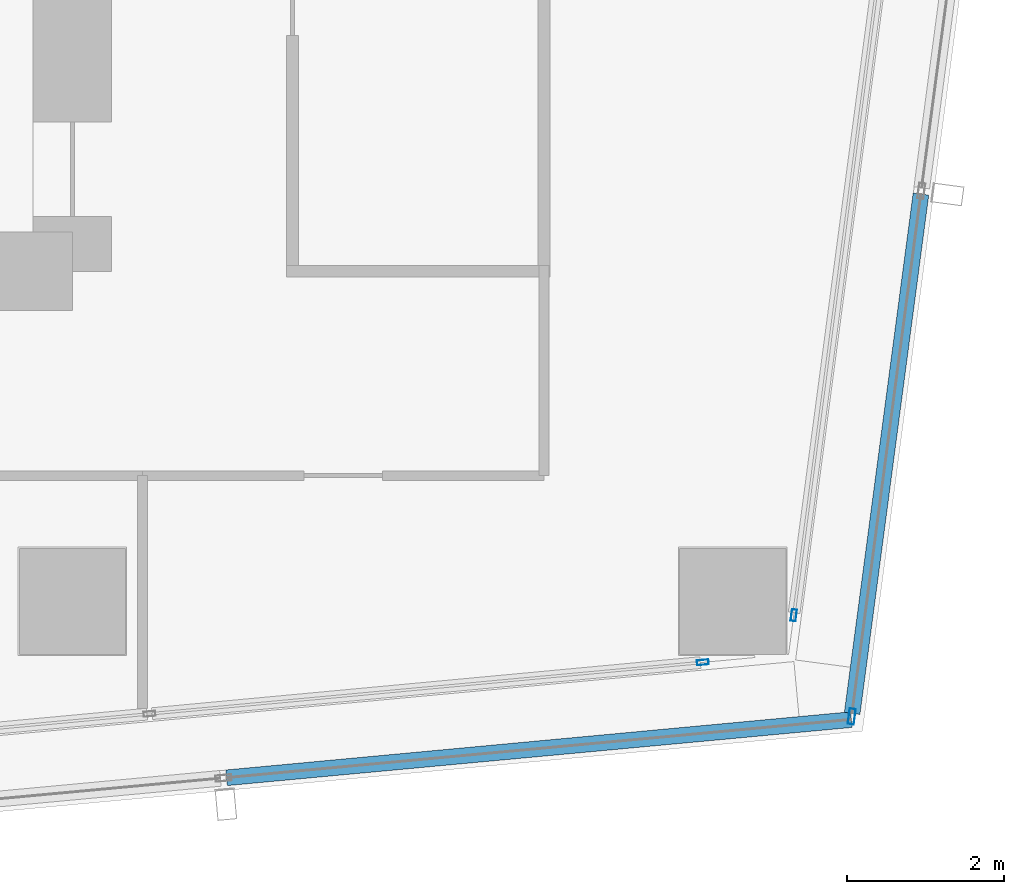
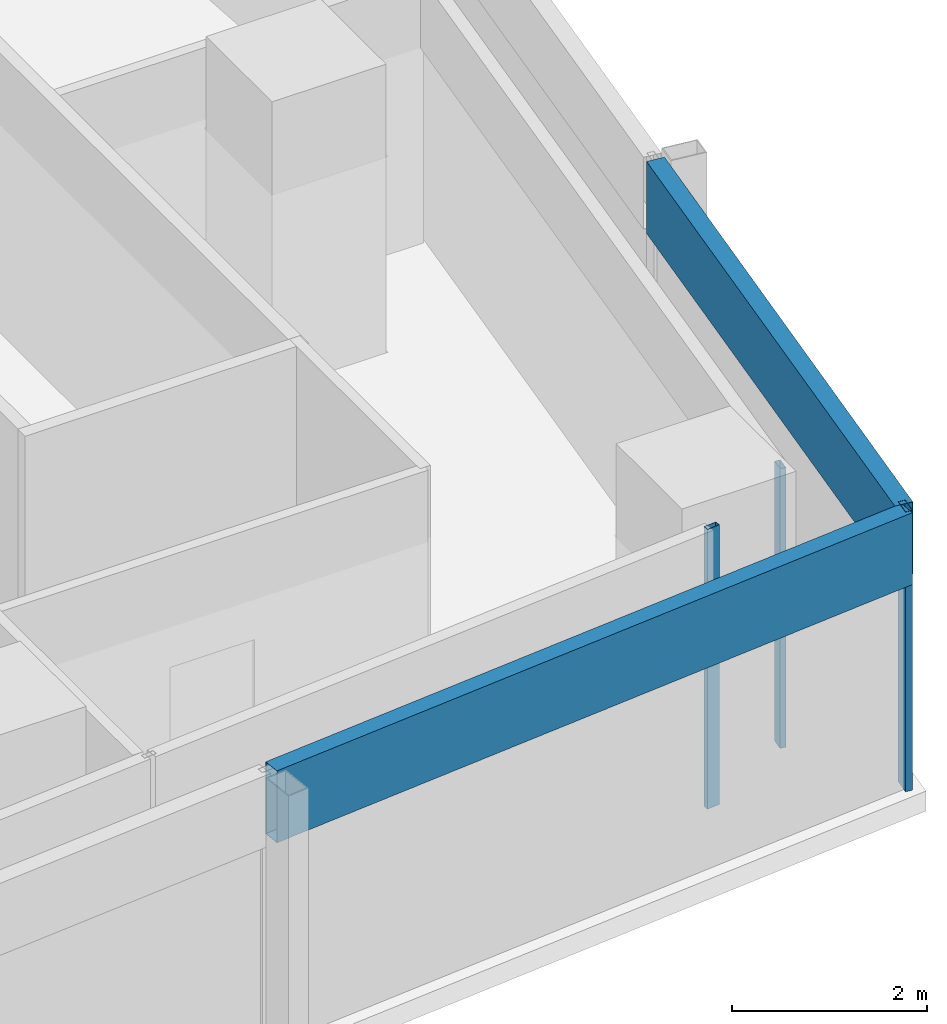
# One storey, part 12 of 39: 5 members, 4 elements without a shape of their own.
"""IFC4 building model written with IfcOpenShell, lengths in metres."""

import ifcopenshell
import ifcopenshell.guid

model = None  # the IFC model being written
_history = None  # IfcOwnerHistory: only IFC2X3 demands one
_inside = {}  # id of a spatial element -> (the spatial element, [elements in it])
_under = {}  # id of a project, library or spatial element -> (it, [spatial elements below it])
_declared = {}  # id of a project -> (the project, [libraries it declares])
_typed = {}  # id of a type object -> (the type object, [elements of that type])
_made_of = {}  # id of a material, layer set ... -> (it, [elements and type objects made of it])


def new_model(schema):
    """Start an empty IFC model of exactly this schema.

    Asked for "IFC4X3", IfcOpenShell would pick the latest addendum, in which some entities
    have other attributes; the version numbers below select the first issue.
    IFC2X3 requires an IfcOwnerHistory on every rooted entity: one is made here for all.
    """
    global model, _history
    if schema == "IFC4X3":
        model = ifcopenshell.file(schema_version=(4, 3, 0, 0))
    else:
        model = ifcopenshell.file(schema=schema)
    _inside.clear()
    _under.clear()
    _declared.clear()
    _typed.clear()
    _made_of.clear()
    _history = None
    if model.schema == "IFC2X3":
        org = make("IfcOrganization", Name="unknown")
        user = make(
            "IfcPersonAndOrganization",
            ThePerson=make("IfcPerson", FamilyName="unknown"),
            TheOrganization=org,
        )
        app = make(
            "IfcApplication",
            ApplicationDeveloper=org,
            Version="unknown",
            ApplicationFullName="unknown",
            ApplicationIdentifier="unknown",
        )
        _history = make(
            "IfcOwnerHistory",
            OwningUser=user,
            OwningApplication=app,
            ChangeAction="ADDED",
            CreationDate=0,
        )
    return model


def make(cls, **values):
    """One entity of the class cls with the attributes given. An attribute that is None is left unset."""
    return model.create_entity(
        cls, **{name: value for name, value in values.items() if value is not None}
    )


def rooted(cls, **values):
    """An entity with a GlobalId (a new one), such as an element, a storey or a relation."""
    return make(cls, GlobalId=ifcopenshell.guid.new(), OwnerHistory=_history, **values)


def si_unit(unit_type, name, prefix=None):
    """IfcSIUnit, for example si_unit("LENGTHUNIT", "METRE", prefix="MILLI")."""
    return make("IfcSIUnit", UnitType=unit_type, Prefix=prefix, Name=name)


def assignment(units):
    """IfcUnitAssignment: the units of a project."""
    return None if units is None else make("IfcUnitAssignment", Units=units)


def point(xyz):
    """IfcCartesianPoint."""
    return None if xyz is None else make("IfcCartesianPoint", Coordinates=xyz)


def direction(xyz):
    """IfcDirection."""
    return None if xyz is None else make("IfcDirection", DirectionRatios=xyz)


def frame(location, z_axis=None, x_axis=None):
    """IfcAxis2Placement3D, a coordinate frame: its origin and axes. An axis left out is left unset."""
    return make(
        "IfcAxis2Placement3D",
        Location=point(location),
        Axis=direction(z_axis),
        RefDirection=direction(x_axis),
    )


def frame_2d(location, x_axis=None):
    """IfcAxis2Placement2D, a coordinate frame in the plane: its origin and x axis."""
    return make(
        "IfcAxis2Placement2D", Location=point(location), RefDirection=direction(x_axis)
    )


def origin():
    """The frame at (0, 0, 0) with its axes left unset."""
    return frame((0.0, 0.0, 0.0))


def origin_2d():
    """The frame at (0, 0) in the plane with its x axis left unset."""
    return frame_2d((0.0, 0.0))


def place(relative_to, where):
    """IfcLocalPlacement: puts the frame where relative to a parent placement (None: the world)."""
    return make(
        "IfcLocalPlacement", PlacementRelTo=relative_to, RelativePlacement=where
    )


def context(
    kind, dimensions, precision=None, world=None, true_north=None, identifier=None
):
    """IfcGeometricRepresentationContext, for example the 3D "Model" context."""
    return make(
        "IfcGeometricRepresentationContext",
        ContextIdentifier=identifier,
        ContextType=kind,
        CoordinateSpaceDimension=dimensions,
        Precision=precision,
        WorldCoordinateSystem=world,
        TrueNorth=true_north,
    )


def subcontext(parent, identifier, kind, view, scale=None):
    """IfcGeometricRepresentationSubContext, for example "Body" below "Model"."""
    return make(
        "IfcGeometricRepresentationSubContext",
        ContextIdentifier=identifier,
        ContextType=kind,
        ParentContext=parent,
        TargetScale=scale,
        TargetView=view,
    )


def project(units=None, contexts=None):
    """IfcProject with its units and contexts."""
    return rooted(
        "IfcProject",
        Name="project",
        RepresentationContexts=contexts,
        UnitsInContext=assignment(units),
    )


def spatial(cls, under=None, at=None, **own):
    """A site, building, storey or space (cls), placed at a placement, below another one or the project."""
    s = rooted(cls, ObjectPlacement=at, **own)
    if under is not None:
        _under.setdefault(under.id(), (under, []))[1].append(s)
    return s


def profile(cls, at=None, kind="AREA", **sizes):
    """A parametric profile (cls). Its sizes go by their IFC names, for example OverallWidth=200.0."""
    return make(cls, ProfileType=kind, Position=at, **sizes)


def hollow_rectangle(**sizes):
    """IfcRectangleHollowProfileDef."""
    return profile("IfcRectangleHollowProfileDef", **sizes)


def extrude(swept, where, along, depth):
    """IfcExtrudedAreaSolid: the profile swept, set in the frame where, extruded along a direction by depth."""
    return make(
        "IfcExtrudedAreaSolid",
        SweptArea=swept,
        Position=where,
        ExtrudedDirection=direction(along),
        Depth=depth,
    )


def shape(context_of_items, identifier, shape_type, items):
    """IfcShapeRepresentation: the items that make up one representation, for example the "Body"."""
    return make(
        "IfcShapeRepresentation",
        ContextOfItems=context_of_items,
        RepresentationIdentifier=identifier,
        RepresentationType=shape_type,
        Items=items,
    )


def material(Name=None, Category=None):
    """IfcMaterial."""
    return make("IfcMaterial", Name=Name, Category=Category)


def material_profile(
    of_material, cross_section, Name=None, Category=None, Priority=None
):
    """IfcMaterialProfile: a cross section and its material."""
    return make(
        "IfcMaterialProfile",
        Name=Name,
        Material=of_material,
        Profile=cross_section,
        Priority=Priority,
        Category=Category,
    )


def profile_set(profiles, Name=None, composite=None):
    """IfcMaterialProfileSet."""
    return make(
        "IfcMaterialProfileSet",
        Name=Name,
        MaterialProfiles=profiles,
        CompositeProfile=composite,
    )


def made_of(thing, what):
    """Note that an element or type object is made of a material, layer set ...; save() writes the relation."""
    if what is not None:
        _made_of.setdefault(what.id(), (what, []))[1].append(thing)
    return thing


def type_object(cls, material=None, **own):
    """A type object (cls), such as IfcWallType, which elements share."""
    return made_of(rooted(cls, **own), material)


def element(
    cls,
    number,
    at=None,
    inside=None,
    cuts=None,
    type_object=None,
    material=None,
    context=None,
    identifier="Body",
    shape_type=None,
    held_by="IfcProductDefinitionShape",
    body=None,
    shapes=None,
    **own,
):
    """One element of the class cls, such as IfcWall. Its Tag is "e" and its number.

    at: its placement. inside: the storey or other place that contains it. cuts: it is an
    opening in that element (IfcRelVoidsElement). A single representation is given by context,
    identifier, shape_type and body (its items); several are given by shapes. held_by: the class
    of the entity that holds the representations. save() writes the other relations.
    """
    e = rooted(cls, Tag="e%d" % number, ObjectPlacement=at, **own)
    if body is not None:
        shapes = [shape(context, identifier, shape_type, body)]
    if shapes is not None:
        e.Representation = make(held_by, Representations=shapes)
    if inside is not None:
        _inside.setdefault(inside.id(), (inside, []))[1].append(e)
    if cuts is not None:
        rooted(
            "IfcRelVoidsElement", RelatingBuildingElement=cuts, RelatedOpeningElement=e
        )
    if type_object is not None:
        _typed.setdefault(type_object.id(), (type_object, []))[1].append(e)
    return made_of(e, material)


def aggregate(whole, parts):
    """IfcRelAggregates: a whole, such as a stair, and the parts it consists of."""
    return rooted("IfcRelAggregates", RelatingObject=whole, RelatedObjects=parts)


def save(model, path):
    """Write the relations noted so far, then the file.

    IfcRelAggregates (storeys below a building ...), IfcRelContainedInSpatialStructure (elements
    in a storey), IfcRelDefinesByType, IfcRelAssociatesMaterial and IfcRelDeclares: one each for
    every whole, place, type object, material and project.
    """
    for whole, parts in _under.values():
        aggregate(whole, parts)
    for where, things in _inside.values():
        rooted(
            "IfcRelContainedInSpatialStructure",
            RelatedElements=things,
            RelatingStructure=where,
        )
    for kind, things in _typed.values():
        rooted("IfcRelDefinesByType", RelatedObjects=things, RelatingType=kind)
    for what, things in _made_of.values():
        rooted("IfcRelAssociatesMaterial", RelatedObjects=things, RelatingMaterial=what)
    for by, libraries in _declared.values():
        rooted("IfcRelDeclares", RelatingContext=by, RelatedDefinitions=libraries)
    model.write(path)


model = new_model("IFC4")

# Units and contexts
model_context = context("Model", 3, precision=1e-05, world=origin(), true_north=direction((0.0, 1.0)))
body_context = subcontext(model_context, "Body", "Model", "MODEL_VIEW")
ifc_project = project(units=[si_unit("LENGTHUNIT", "METRE"), si_unit("AREAUNIT", "SQUARE_METRE"), si_unit("VOLUMEUNIT", "CUBIC_METRE"), si_unit("PLANEANGLEUNIT", "RADIAN"), si_unit("MASSUNIT", "GRAM", prefix="KILO")], contexts=[model_context])

# Site, building, storey
site_placement = place(None, origin())
site = spatial("IfcSite", under=ifc_project, at=site_placement, CompositionType="ELEMENT")
building_placement = place(site_placement, origin())
building = spatial("IfcBuilding", under=site, at=building_placement, Name="Rekha Terrace Tower", CompositionType="ELEMENT")
storey_placement = place(building_placement, frame((0.0, 0.0, 187.699951171875)))
storey = spatial("IfcBuildingStorey", under=building, at=storey_placement, Name="L47", CompositionType="ELEMENT", Elevation=187.699951171875)

# Curtain wall, member
ifc_material_1 = material(Name="Aluminium framing", Category="aluminium")
curtain_wall_type_1 = type_object("IfcCurtainWallType", Name="CW1 double skin inner glazing", PredefinedType="USERDEFINED", material=ifc_material_1)
curtain_wall_1_placement = place(storey_placement, origin())
curtain_wall_1 = element("IfcCurtainWall", 1, at=curtain_wall_1_placement, inside=storey, type_object=curtain_wall_type_1, Name="CW1 double skin inner glazing", ObjectType="DOUBLE SKIN INNER GLAZING", PredefinedType="USERDEFINED")
ifc_material_2 = material(Name="Aluminium mullion section", Category="aluminium")
ifc_material_profile_1 = material_profile(ifc_material_2, hollow_rectangle(XDim=0.06494140625, YDim=0.14990234375, WallThickness=0.00390625, at=origin_2d()), Name="AL RHS 65x150")
ifc_profile_set_1 = profile_set([ifc_material_profile_1], Name="Aluminium mullion section")
member_type_1 = type_object("IfcMemberType", Name="CW1 mullion RHS 65 x 150", PredefinedType="MULLION", material=ifc_profile_set_1)
member_1_placement = place(storey_placement, frame((58.419677734375, 16.025634765625, 0.0), z_axis=(0.0, 0.0, 1.0), x_axis=(-0.092708869564, 0.995693258742, 0.0)))
member_1 = element("IfcMember", 2, at=member_1_placement, type_object=member_type_1, Name="CW1 mullion 3", PredefinedType="MULLION", context=body_context, shape_type="SweptSolid", body=[
    extrude(hollow_rectangle(XDim=0.06494140625, YDim=0.14990234375, WallThickness=0.00390625, at=origin_2d()), origin(), (0.0, 0.0, 1.0), 3.5),
])
aggregate(curtain_wall_1, [member_1])

curtain_wall_2_placement = place(storey_placement, origin())
curtain_wall_2 = element("IfcCurtainWall", 3, at=curtain_wall_2_placement, inside=storey, type_object=curtain_wall_type_1, Name="CW1 double skin inner glazing", ObjectType="DOUBLE SKIN INNER GLAZING", PredefinedType="USERDEFINED")
member_2_placement = place(storey_placement, frame((59.576171875, 16.624755859375, 0.0), z_axis=(0.0, 0.0, 1.0), x_axis=(-0.991342203185, 0.131303603093, 0.0)))
member_2 = element("IfcMember", 4, at=member_2_placement, type_object=member_type_1, Name="CW1 mullion 1", PredefinedType="MULLION", context=body_context, shape_type="SweptSolid", body=[
    extrude(hollow_rectangle(XDim=0.06494140625, YDim=0.14990234375, WallThickness=0.00390625, at=origin_2d()), origin(), (0.0, 0.0, 1.0), 3.5),
])
aggregate(curtain_wall_2, [member_2])

curtain_wall_type_2 = type_object("IfcCurtainWallType", Name="CW2 double skin outer glazing", PredefinedType="USERDEFINED", material=ifc_material_1)
curtain_wall_3_placement = place(storey_placement, origin())
curtain_wall_3 = element("IfcCurtainWall", 5, at=curtain_wall_3_placement, inside=storey, type_object=curtain_wall_type_2, Name="CW2 double skin outer glazing", ObjectType="DOUBLE SKIN OUTER GLAZING", PredefinedType="USERDEFINED")
ifc_material_profile_2 = material_profile(ifc_material_2, hollow_rectangle(XDim=0.080078125, YDim=0.199951171875, WallThickness=0.00390625, at=origin_2d()), Name="AL RHS 80x200")
ifc_profile_set_2 = profile_set([ifc_material_profile_2], Name="Aluminium mullion section")
member_type_2 = type_object("IfcMemberType", Name="CW2 mullion RHS 80 x 200", PredefinedType="MULLION", material=ifc_profile_set_2)
member_3_placement = place(storey_placement, frame((60.3134765625, 15.337158203125, 0.0), z_axis=(0.0, 0.0, 1.0), x_axis=(-0.991342203187, 0.131303603075, 0.0)))
member_3 = element("IfcMember", 6, at=member_3_placement, type_object=member_type_2, Name="CW2 mullion 1", PredefinedType="MULLION", context=body_context, shape_type="SweptSolid", body=[
    extrude(hollow_rectangle(XDim=0.080078125, YDim=0.199951171875, WallThickness=0.00390625, at=origin_2d()), origin(), (0.0, 0.0, 1.0), 3.5),
])

curtain_wall_4_placement = place(storey_placement, origin())
curtain_wall_4 = element("IfcCurtainWall", 7, at=curtain_wall_4_placement, inside=storey, type_object=curtain_wall_type_2, Name="CW2 double skin outer glazing", ObjectType="DOUBLE SKIN OUTER GLAZING", PredefinedType="USERDEFINED")
ifc_material_3 = material(Name="Insulated aluminium spandrel box", Category="aluminium")
ifc_material_profile_3 = material_profile(ifc_material_3, hollow_rectangle(XDim=0.199951171875, YDim=0.89990234375, WallThickness=0.0029296875, at=origin_2d()), Name="AL SPANDREL BOX 200x900")
ifc_profile_set_3 = profile_set([ifc_material_profile_3], Name="Insulated aluminium spandrel box")
member_type_3 = type_object("IfcMemberType", Name="CW2 spandrel transom 200 x 900", PredefinedType="USERDEFINED", material=ifc_profile_set_3)
member_4_placement = place(storey_placement, frame((52.36181640625, 14.5576171875, 3.050048828125), z_axis=(0.99569478362, 0.092692490917, 0.0), x_axis=(-0.092692490917, 0.99569478362, 0.0)))
member_4 = element("IfcMember", 8, at=member_4_placement, type_object=member_type_3, Name="CW2 spandrel transom 2", ObjectType="TRANSOM", PredefinedType="USERDEFINED", context=body_context, shape_type="SweptSolid", body=[
    extrude(hollow_rectangle(XDim=0.199951171875, YDim=0.89990234375, WallThickness=0.0029296875, at=origin_2d()), origin(), (0.0, 0.0, 1.0), 7.980712890625),
])
aggregate(curtain_wall_4, [member_4])

# Member
member_5_placement = place(storey_placement, frame((60.318603515625, 15.376708984375, 3.050048828125), z_axis=(0.131318864981, 0.991340181623, 0.0), x_axis=(-0.991340181623, 0.131318864981, 0.0)))
member_5 = element("IfcMember", 9, at=member_5_placement, type_object=member_type_3, Name="CW2 spandrel transom 1", ObjectType="TRANSOM", PredefinedType="USERDEFINED", context=body_context, shape_type="SweptSolid", body=[
    extrude(hollow_rectangle(XDim=0.199951171875, YDim=0.89990234375, WallThickness=0.0029296875, at=origin_2d()), origin(), (0.0, 0.0, 1.0), 6.6630859375),
])

aggregate(curtain_wall_3, [member_3, member_5])

save(model, "model.ifc")
